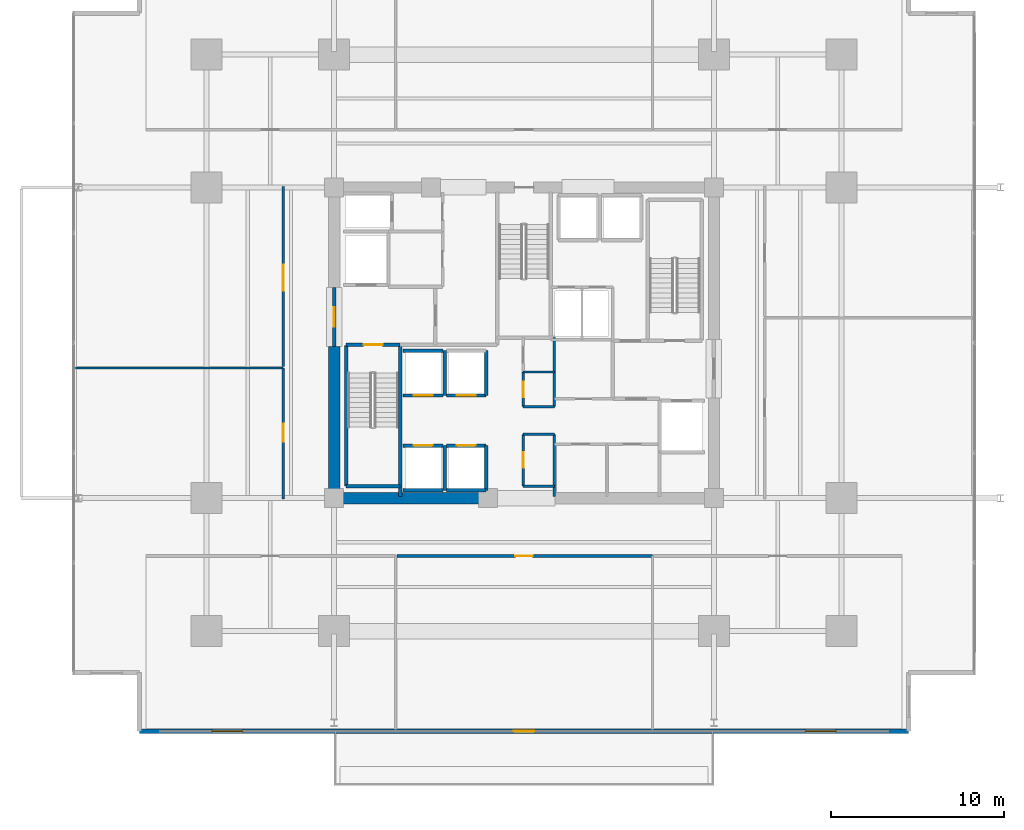
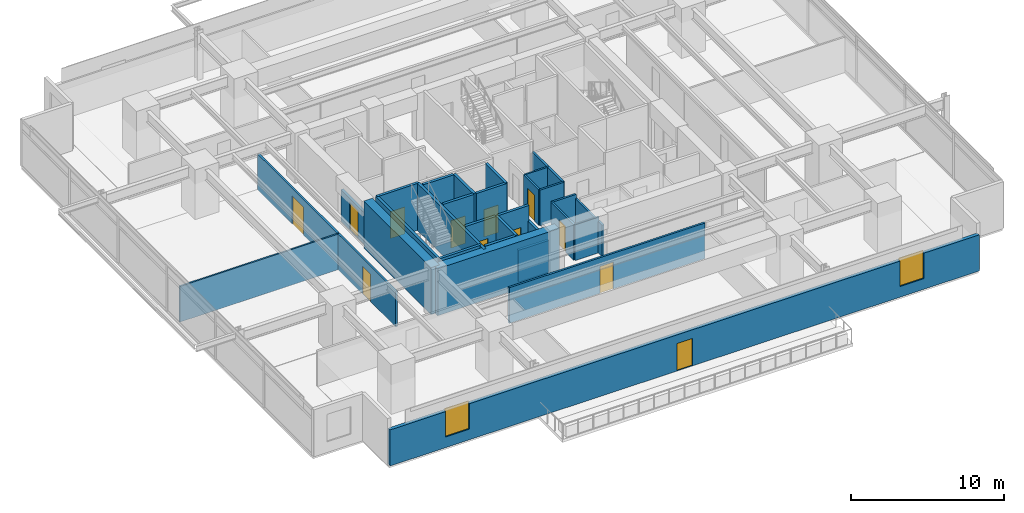
# One storey, part 15 of 22: 31 walls, 12 doors, 2 windows, 14 openings.
"""IFC4 building model written with IfcOpenShell, lengths in metres."""

from ifc_helpers import new_model, si_unit, direction, frame, frame_2d, origin, place, context, subcontext, project, spatial, rectangle, extrude, material, layer, layer_set, type_object, element, fill, save


model = new_model("IFC4")

# Units and contexts
model_context = context("Model", 3, precision=1e-05, world=origin(), true_north=direction((0.0, 1.0)))
body_context = subcontext(model_context, "Body", "Model", "MODEL_VIEW")
ifc_project = project(units=[si_unit("LENGTHUNIT", "METRE"), si_unit("AREAUNIT", "SQUARE_METRE"), si_unit("VOLUMEUNIT", "CUBIC_METRE"), si_unit("PLANEANGLEUNIT", "RADIAN"), si_unit("MASSUNIT", "GRAM", prefix="KILO")], contexts=[model_context])

# Site, building, storey
site_placement = place(None, origin())
site = spatial("IfcSite", under=ifc_project, at=site_placement, CompositionType="ELEMENT")
building_placement = place(site_placement, origin())
building = spatial("IfcBuilding", under=site, at=building_placement, Name="Kovane Verandah Tower", CompositionType="ELEMENT")
storey_placement = place(building_placement, frame((0.0, 0.0, 71.60009765625)))
storey = spatial("IfcBuildingStorey", under=building, at=storey_placement, Name="L16", CompositionType="ELEMENT", Elevation=71.60009765625)

# Walls
ifc_material_1 = material(Name="Fire-Rated Gypsum Stud Partition", Category="gypsum")
ifc_layer_1 = layer(ifc_material_1, 0.14990234375)
ifc_layer_set_1 = layer_set([ifc_layer_1], Name="Fire-Rated Gypsum Stud Partition")
wall_type_1 = type_object("IfcWallType", Name="WL-COR-150", PredefinedType="PARTITIONING", material=ifc_layer_set_1)
for number, where, z_axis, x_axis, name in (
    (1, (39.949951171875, 19.199951171875, 0.0), (0.0, 0.0, 1.0), (1.0, 0.0, 0.0), "L16 Central Core Strip South Wall"),
    (2, (39.949951171875, 22.199951171875, 0.0), (0.0, 0.0, 1.0), (1.0, 0.0, 0.0), "L16 Core Cross-Passage South Wall"),
    (3, (39.949951171875, 23.800048828125, 0.0), (0.0, 0.0, 1.0), (1.0, 0.0, 0.0), "L16 Core Cross-Passage North Wall"),
):
    element("IfcWall", number, at=place(storey_placement, frame(where, z_axis=z_axis, x_axis=x_axis)), inside=storey, type_object=wall_type_1, Name=name, PredefinedType="PARTITIONING", context=body_context, shape_type="SweptSolid", body=[
        extrude(rectangle(XDim=1.81005859375, YDim=0.14990234375, at=frame_2d((0.905029296875, 0.0))), origin(), (0.0, 0.0, 1.0), 2.849853515625),
    ])
wall_1_placement = place(storey_placement, frame((41.760009765625, 18.60009765625, 0.0), z_axis=(0.0, 0.0, 1.0), x_axis=(0.0, 1.0, 0.0)))
element("IfcWall", 4, at=wall_1_placement, inside=storey, type_object=wall_type_1, Name="L16 Central Core Strip Lower East Wall", PredefinedType="PARTITIONING", context=body_context, shape_type="SweptSolid", body=[
    extrude(rectangle(XDim=3.599853515625, YDim=0.14990234375, at=frame_2d((1.7998046875, 0.0))), origin(), (0.0, 0.0, 1.0), 2.539794921875),
])
wall_2_placement = place(storey_placement, frame((41.760009765625, 23.800048828125, 0.0), z_axis=(0.0, 0.0, 1.0), x_axis=(0.0, 1.0, 0.0)))
element("IfcWall", 5, at=wall_2_placement, inside=storey, type_object=wall_type_1, Name="L16 Central Core Strip Upper East Wall", PredefinedType="PARTITIONING", context=body_context, shape_type="SweptSolid", body=[
    extrude(rectangle(XDim=4.0, YDim=0.14990234375, at=frame_2d((2.0, 0.0))), origin(), (0.0, 0.0, 1.0), 2.849853515625),
])

# Wall, opening, door
wall_3_placement = place(storey_placement, frame((39.949951171875, 19.199951171875, 0.0), z_axis=(0.0, 0.0, 1.0), x_axis=(0.0, 1.0, 0.0)))
wall_3 = element("IfcWall", 6, at=wall_3_placement, inside=storey, type_object=wall_type_1, Name="L16 Male Toilet Partition", PredefinedType="PARTITIONING", context=body_context, shape_type="SweptSolid", body=[
    extrude(rectangle(XDim=3.0, YDim=0.14990234375, at=frame_2d((1.5, 0.0))), origin(), (0.0, 0.0, 1.0), 2.849853515625),
])
opening_1_placement = place(wall_3_placement, frame((1.050048828125, 0.0, 0.0)))
opening_1 = element("IfcOpeningElement", 7, at=opening_1_placement, cuts=wall_3, Name="Opening DR-L16-028", PredefinedType="OPENING", context=body_context, shape_type="SweptSolid", body=[
    extrude(rectangle(XDim=0.89990234375, YDim=2.10009765625, at=frame_2d((0.449951171875, 1.050048828125))), frame((0.0, 0.074951171875, 0.0), z_axis=(0.0, -1.0, 0.0), x_axis=(1.0, 0.0, 0.0)), (0.0, 0.0, 1.0), 0.14990234375),
])
ifc_material_2 = material(Name="Moisture-Resistant Laminate Washroom Door", Category="wood")
door_type_1 = type_object("IfcDoorType", Name="DR-WC-900", OperationType="SINGLE_SWING_LEFT", PredefinedType="DOOR", material=ifc_material_2)
door_1_placement = place(opening_1_placement, origin())
door_1 = element("IfcDoor", 8, at=door_1_placement, inside=storey, type_object=door_type_1, Name="L16 Male Toilet Door", OperationType="SINGLE_SWING_LEFT", OverallHeight=2.10009765625, OverallWidth=0.89990234375, PredefinedType="DOOR", context=body_context, shape_type="SweptSolid", body=[
    extrude(rectangle(XDim=0.89990234375, YDim=2.10009765625, at=frame_2d((0.449951171875, 1.050048828125))), frame((0.0, 0.02490234375, 0.0), z_axis=(0.0, -1.0, 0.0), x_axis=(1.0, 0.0, 0.0)), (0.0, 0.0, 1.0), 0.050048828125),
])
fill(opening_1, door_1)

wall_4_placement = place(storey_placement, frame((39.949951171875, 23.800048828125, 0.0), z_axis=(0.0, 0.0, 1.0), x_axis=(0.0, 1.0, 0.0)))
wall_4 = element("IfcWall", 9, at=wall_4_placement, inside=storey, type_object=wall_type_1, Name="L16 Female Toilet Partition", PredefinedType="PARTITIONING", context=body_context, shape_type="SweptSolid", body=[
    extrude(rectangle(XDim=2.0, YDim=0.14990234375, at=frame_2d((1.0, 0.0))), origin(), (0.0, 0.0, 1.0), 2.849853515625),
])
opening_2_placement = place(wall_4_placement, frame((0.550048828125, 0.0, 0.0)))
opening_2 = element("IfcOpeningElement", 10, at=opening_2_placement, cuts=wall_4, Name="Opening DR-L16-027", PredefinedType="OPENING", context=body_context, shape_type="SweptSolid", body=[
    extrude(rectangle(XDim=0.89990234375, YDim=2.10009765625, at=frame_2d((0.449951171875, 1.050048828125))), frame((0.0, 0.074951171875, 0.0), z_axis=(0.0, -1.0, 0.0), x_axis=(1.0, 0.0, 0.0)), (0.0, 0.0, 1.0), 0.14990234375),
])
door_2_placement = place(opening_2_placement, origin())
door_2 = element("IfcDoor", 11, at=door_2_placement, inside=storey, type_object=door_type_1, Name="L16 Female Toilet Door", OperationType="SINGLE_SWING_RIGHT", OverallHeight=2.10009765625, OverallWidth=0.89990234375, PredefinedType="DOOR", context=body_context, shape_type="SweptSolid", body=[
    extrude(rectangle(XDim=0.89990234375, YDim=2.10009765625, at=frame_2d((0.449951171875, 1.050048828125))), frame((0.0, 0.02490234375, 0.0), z_axis=(0.0, -1.0, 0.0), x_axis=(1.0, 0.0, 0.0)), (0.0, 0.0, 1.0), 0.050048828125),
])
fill(opening_2, door_2)

wall_5_placement = place(storey_placement, frame((32.628662109375, 15.14990234375, 0.0), z_axis=(0.0, 0.0, 1.0), x_axis=(1.0, 0.0, 0.0)))
wall_5 = element("IfcWall", 12, at=wall_5_placement, inside=storey, type_object=wall_type_1, Name="L16 Document and Print Room S2 Corridor Partition", PredefinedType="PARTITIONING", context=body_context, shape_type="SweptSolid", body=[
    extrude(rectangle(XDim=14.812744140625, YDim=0.14990234375, at=frame_2d((7.40625, 0.0))), origin(), (0.0, 0.0, 1.0), 2.849853515625),
])
opening_3_placement = place(wall_5_placement, frame((6.871337890625, 0.0, 0.0)))
opening_3 = element("IfcOpeningElement", 13, at=opening_3_placement, cuts=wall_5, Name="Opening DR-L16-023", PredefinedType="OPENING", context=body_context, shape_type="SweptSolid", body=[
    extrude(rectangle(XDim=1.0, YDim=2.14990234375, at=frame_2d((0.5, 1.074951171875))), frame((0.0, 0.074951171875, 0.0), z_axis=(0.0, -1.0, 0.0), x_axis=(1.0, 0.0, 0.0)), (0.0, 0.0, 1.0), 0.14990234375),
])
ifc_material_3 = material(Name="FSC Spotted-Gum Timber Fire-Rated Office Door", Category="wood")
door_type_2 = type_object("IfcDoorType", Name="DR-OFF-1000", OperationType="SINGLE_SWING_LEFT", PredefinedType="DOOR", material=ifc_material_3)
door_3_placement = place(opening_3_placement, origin())
door_3 = element("IfcDoor", 14, at=door_3_placement, inside=storey, type_object=door_type_2, Name="L16 Document and Print Room S2 Entrance Door", OperationType="SINGLE_SWING_LEFT", OverallHeight=2.14990234375, OverallWidth=1.0, PredefinedType="DOOR", context=body_context, shape_type="SweptSolid", body=[
    extrude(rectangle(XDim=1.0, YDim=2.14990234375, at=frame_2d((0.5, 1.074951171875))), frame((0.0, 0.02490234375, 0.0), z_axis=(0.0, -1.0, 0.0), x_axis=(1.0, 0.0, 0.0)), (0.0, 0.0, 1.0), 0.050048828125),
])
fill(opening_3, door_3)

wall_6_placement = place(storey_placement, frame((26.050048828125, 18.449951171875, 0.0), z_axis=(0.0, 0.0, 1.0), x_axis=(0.0, 1.0, 0.0)))
wall_6 = element("IfcWall", 15, at=wall_6_placement, inside=storey, type_object=wall_type_1, Name="L16 Executive Office W1 Corridor Partition", PredefinedType="PARTITIONING", context=body_context, shape_type="SweptSolid", body=[
    extrude(rectangle(XDim=7.60205078125, YDim=0.14990234375, at=frame_2d((3.801025390625, 0.0))), origin(), (0.0, 0.0, 1.0), 2.849853515625),
])
opening_4_placement = place(wall_6_placement, frame((3.31591796875, 0.0, 0.0)))
opening_4 = element("IfcOpeningElement", 16, at=opening_4_placement, cuts=wall_6, Name="Opening DR-L16-029", PredefinedType="OPENING", context=body_context, shape_type="SweptSolid", body=[
    extrude(rectangle(XDim=1.050048828125, YDim=2.199951171875, at=frame_2d((0.52490234375, 1.10009765625))), frame((0.0, 0.074951171875, 0.0), z_axis=(0.0, -1.0, 0.0), x_axis=(1.0, 0.0, 0.0)), (0.0, 0.0, 1.0), 0.14990234375),
])
ifc_material_4 = material(Name="FSC Blackbutt Timber Fire-Rated Executive Door", Category="wood")
door_type_3 = type_object("IfcDoorType", Name="DR-EXEC-1050", OperationType="SINGLE_SWING_LEFT", PredefinedType="DOOR", material=ifc_material_4)
door_4_placement = place(opening_4_placement, origin())
door_4 = element("IfcDoor", 17, at=door_4_placement, inside=storey, type_object=door_type_3, Name="L16 Executive Office W1 Entrance Door", OperationType="SINGLE_SWING_LEFT", OverallHeight=2.199951171875, OverallWidth=1.050048828125, PredefinedType="DOOR", context=body_context, shape_type="SweptSolid", body=[
    extrude(rectangle(XDim=1.050048828125, YDim=2.199951171875, at=frame_2d((0.52490234375, 1.10009765625))), frame((0.0, 0.02490234375, 0.0), z_axis=(0.0, -1.0, 0.0), x_axis=(1.0, 0.0, 0.0)), (0.0, 0.0, 1.0), 0.050048828125),
])
fill(opening_4, door_4)

wall_7_placement = place(storey_placement, frame((26.050048828125, 26.1220703125, 0.0), z_axis=(0.0, 0.0, 1.0), x_axis=(0.0, 1.0, 0.0)))
wall_7 = element("IfcWall", 18, at=wall_7_placement, inside=storey, type_object=wall_type_1, Name="L16 Client Boardroom W2 Corridor Partition", PredefinedType="PARTITIONING", context=body_context, shape_type="SweptSolid", body=[
    extrude(rectangle(XDim=10.427978515625, YDim=0.14990234375, at=frame_2d((5.2138671875, 0.0))), origin(), (0.0, 0.0, 1.0), 2.849853515625),
])
opening_5_placement = place(wall_7_placement, frame((4.388916015625, 0.0, 0.0)))
opening_5 = element("IfcOpeningElement", 19, at=opening_5_placement, cuts=wall_7, Name="Opening DR-L16-030", PredefinedType="OPENING", context=body_context, shape_type="SweptSolid", body=[
    extrude(rectangle(XDim=1.5, YDim=2.25, at=frame_2d((0.75, 1.125))), frame((0.0, 0.074951171875, 0.0), z_axis=(0.0, -1.0, 0.0), x_axis=(1.0, 0.0, 0.0)), (0.0, 0.0, 1.0), 0.14990234375),
])
ifc_material_5 = material(Name="Glazed Timber Fire-Rated Double Door", Category="wood")
door_type_4 = type_object("IfcDoorType", Name="DR-CONF-1500", OperationType="DOUBLE_DOOR_SINGLE_SWING", PredefinedType="DOOR", material=ifc_material_5)
door_5_placement = place(opening_5_placement, origin())
door_5 = element("IfcDoor", 20, at=door_5_placement, inside=storey, type_object=door_type_4, Name="L16 Client Boardroom W2 Entrance Door", OperationType="DOUBLE_DOOR_SINGLE_SWING", OverallHeight=2.25, OverallWidth=1.5, PredefinedType="DOOR", context=body_context, shape_type="SweptSolid", body=[
    extrude(rectangle(XDim=1.5, YDim=2.25, at=frame_2d((0.75, 1.125))), frame((0.0, 0.02490234375, 0.0), z_axis=(0.0, -1.0, 0.0), x_axis=(1.0, 0.0, 0.0)), (0.0, 0.0, 1.0), 0.050048828125),
])
fill(opening_5, door_5)

# Walls
ifc_material_6 = material(Name="Concrete C80/95", Category="concrete")
ifc_layer_2 = layer(ifc_material_6, 0.64990234375)
ifc_layer_set_2 = layer_set([ifc_layer_2], Name="Concrete C80/95")
wall_type_2 = type_object("IfcWallType", Name="WL-CORE-650", PredefinedType="SHEAR", material=ifc_layer_set_2)
wall_8_placement = place(storey_placement, frame((29.0, 18.5, 0.0), z_axis=(0.0, 0.0, 1.0), x_axis=(1.0, 0.0, 0.0)))
element("IfcWall", 21, at=wall_8_placement, inside=storey, type_object=wall_type_2, Name="L16 Core Shear Wall CS-1", PredefinedType="SHEAR", context=body_context, shape_type="SweptSolid", body=[
    extrude(rectangle(XDim=9.199951171875, YDim=0.64990234375, at=frame_2d((4.60009765625, 0.0))), origin(), (0.0, 0.0, 1.0), 3.760009765625),
])
wall_9_placement = place(storey_placement, frame((29.0, 18.5, 0.0), z_axis=(0.0, 0.0, 1.0), x_axis=(0.0, 1.0, 0.0)))
element("IfcWall", 22, at=wall_9_placement, inside=storey, type_object=wall_type_2, Name="L16 Core Shear Wall CW-1", PredefinedType="SHEAR", context=body_context, shape_type="SweptSolid", body=[
    extrude(rectangle(XDim=8.800048828125, YDim=0.64990234375, at=frame_2d((4.39990234375, 0.0))), origin(), (0.0, 0.0, 1.0), 3.760009765625),
])

# Wall, opening, door
ifc_material_7 = material(Name="Concrete C45/55 Fire Wall", Category="concrete")
ifc_layer_3 = layer(ifc_material_7, 0.199951171875)
ifc_layer_set_3 = layer_set([ifc_layer_3], Name="Concrete C45/55 Fire Wall")
wall_type_3 = type_object("IfcWallType", Name="WL-FFL-200", PredefinedType="PARTITIONING", material=ifc_layer_set_3)
wall_10_placement = place(storey_placement, frame((29.0, 27.300048828125, 0.0), z_axis=(0.0, 0.0, 1.0), x_axis=(0.0, 1.0, 0.0)))
wall_10 = element("IfcWall", 23, at=wall_10_placement, inside=storey, type_object=wall_type_3, Name="W-L16-FFLW-OUT", PredefinedType="PARTITIONING", context=body_context, shape_type="SweptSolid", body=[
    extrude(rectangle(XDim=3.39990234375, YDim=0.199951171875, at=frame_2d((1.699951171875, 0.0))), origin(), (0.0, 0.0, 1.0), 2.539794921875),
])
opening_6_placement = place(wall_10_placement, frame((1.125, 0.0, 0.0)))
opening_6 = element("IfcOpeningElement", 24, at=opening_6_placement, cuts=wall_10, Name="Opening DR-L16-007", PredefinedType="OPENING", context=body_context, shape_type="SweptSolid", body=[
    extrude(rectangle(XDim=1.14990234375, YDim=2.199951171875, at=frame_2d((0.574951171875, 1.10009765625))), frame((0.0, 0.10009765625, 0.0), z_axis=(0.0, -1.0, 0.0), x_axis=(1.0, 0.0, 0.0)), (0.0, 0.0, 1.0), 0.199951171875),
])
ifc_material_8 = material(Name="Smoke-Sealed Firefighting Lobby Door", Category="steel")
door_type_5 = type_object("IfcDoorType", Name="DR-FFL-1150", OperationType="SINGLE_SWING_LEFT", PredefinedType="DOOR", material=ifc_material_8)
door_6_placement = place(opening_6_placement, origin())
door_6 = element("IfcDoor", 25, at=door_6_placement, inside=storey, type_object=door_type_5, Name="L16 West Firefighting Lobby Corridor Door", OperationType="SINGLE_SWING_RIGHT", OverallHeight=2.199951171875, OverallWidth=1.14990234375, PredefinedType="DOOR", context=body_context, shape_type="SweptSolid", body=[
    extrude(rectangle(XDim=1.14990234375, YDim=2.199951171875, at=frame_2d((0.574951171875, 1.10009765625))), frame((0.0, 0.02490234375, 0.0), z_axis=(0.0, -1.0, 0.0), x_axis=(1.0, 0.0, 0.0)), (0.0, 0.0, 1.0), 0.050048828125),
])
fill(opening_6, door_6)

# Wall
ifc_material_9 = material(Name="Concrete C45/55 Lift Shaft Wall", Category="concrete")
ifc_layer_4 = layer(ifc_material_9, 0.199951171875)
ifc_layer_set_4 = layer_set([ifc_layer_4], Name="Concrete C45/55 Lift Shaft Wall")
wall_type_4 = type_object("IfcWallType", Name="WL-LIFT-200", PredefinedType="SOLIDWALL", material=ifc_layer_set_4)
wall_11_placement = place(storey_placement, frame((33.0, 18.949951171875, 0.0), z_axis=(0.0, 0.0, 1.0), x_axis=(1.0, 0.0, 0.0)))
element("IfcWall", 26, at=wall_11_placement, inside=storey, type_object=wall_type_4, Name="L16 Lift PL-L1 S Shaft Wall", PredefinedType="SOLIDWALL", context=body_context, shape_type="SweptSolid", body=[
    extrude(rectangle(XDim=2.300048828125, YDim=0.199951171875, at=frame_2d((1.14990234375, 0.0))), origin(), (0.0, 0.0, 1.0), 3.760009765625),
])

# Wall, opening, door
wall_12_placement = place(storey_placement, frame((35.300048828125, 21.550048828125, 0.0), z_axis=(0.0, 0.0, 1.0), x_axis=(-1.0, 0.0, 0.0)))
wall_12 = element("IfcWall", 27, at=wall_12_placement, inside=storey, type_object=wall_type_4, Name="L16 Lift PL-L1 N Shaft Wall", PredefinedType="SOLIDWALL", context=body_context, shape_type="SweptSolid", body=[
    extrude(rectangle(XDim=2.300048828125, YDim=0.199951171875, at=frame_2d((1.14990234375, 0.0))), origin(), (0.0, 0.0, 1.0), 3.760009765625),
])
opening_7_placement = place(wall_12_placement, frame((0.60009765625, 0.0, 0.0)))
opening_7 = element("IfcOpeningElement", 28, at=opening_7_placement, cuts=wall_12, Name="Opening LD-L16-004", PredefinedType="OPENING", context=body_context, shape_type="SweptSolid", body=[
    extrude(rectangle(XDim=1.10009765625, YDim=2.199951171875, at=frame_2d((0.550048828125, 1.10009765625))), frame((0.0, 0.10009765625, 0.0), z_axis=(0.0, -1.0, 0.0), x_axis=(1.0, 0.0, 0.0)), (0.0, 0.0, 1.0), 0.199951171875),
])
ifc_material_10 = material(Name="Brushed Stainless Steel Sliding Lift Landing Door", Category="steel")
door_type_6 = type_object("IfcDoorType", Name="DR-LIFT-1100", OperationType="SLIDING_TO_RIGHT", PredefinedType="DOOR", material=ifc_material_10)
door_7_placement = place(opening_7_placement, origin())
door_7 = element("IfcDoor", 29, at=door_7_placement, inside=storey, type_object=door_type_6, Name="L16 Lift PL-L1 Sliding Landing Door", OperationType="SLIDING_TO_RIGHT", OverallHeight=2.199951171875, OverallWidth=1.10009765625, PredefinedType="DOOR", context=body_context, shape_type="SweptSolid", body=[
    extrude(rectangle(XDim=1.10009765625, YDim=2.199951171875, at=frame_2d((0.550048828125, 1.10009765625))), frame((0.0, 0.02490234375, 0.0), z_axis=(0.0, -1.0, 0.0), x_axis=(1.0, 0.0, 0.0)), (0.0, 0.0, 1.0), 0.050048828125),
])
fill(opening_7, door_7)

# Walls
wall_13_placement = place(storey_placement, frame((35.39990234375, 18.949951171875, 0.0), z_axis=(0.0, 0.0, 1.0), x_axis=(0.0, 1.0, 0.0)))
element("IfcWall", 30, at=wall_13_placement, inside=storey, type_object=wall_type_4, Name="L16 Lift PL-L1 and PL-L2 Shared Shaft Wall", PredefinedType="SOLIDWALL", context=body_context, shape_type="SweptSolid", body=[
    extrude(rectangle(XDim=2.60009765625, YDim=0.199951171875, at=frame_2d((1.300048828125, 0.0))), origin(), (0.0, 0.0, 1.0), 3.760009765625),
])
wall_14_placement = place(storey_placement, frame((35.5, 18.949951171875, 0.0), z_axis=(0.0, 0.0, 1.0), x_axis=(1.0, 0.0, 0.0)))
element("IfcWall", 31, at=wall_14_placement, inside=storey, type_object=wall_type_4, Name="L16 Lift PL-L2 S Shaft Wall", PredefinedType="SOLIDWALL", context=body_context, shape_type="SweptSolid", body=[
    extrude(rectangle(XDim=2.300048828125, YDim=0.199951171875, at=frame_2d((1.14990234375, 0.0))), origin(), (0.0, 0.0, 1.0), 2.539794921875),
])

# Wall, opening, door
wall_15_placement = place(storey_placement, frame((37.800048828125, 21.550048828125, 0.0), z_axis=(0.0, 0.0, 1.0), x_axis=(-1.0, 0.0, 0.0)))
wall_15 = element("IfcWall", 32, at=wall_15_placement, inside=storey, type_object=wall_type_4, Name="L16 Lift PL-L2 N Shaft Wall", PredefinedType="SOLIDWALL", context=body_context, shape_type="SweptSolid", body=[
    extrude(rectangle(XDim=2.300048828125, YDim=0.199951171875, at=frame_2d((1.14990234375, 0.0))), origin(), (0.0, 0.0, 1.0), 3.760009765625),
])
opening_8_placement = place(wall_15_placement, frame((0.60009765625, 0.0, 0.0)))
opening_8 = element("IfcOpeningElement", 33, at=opening_8_placement, cuts=wall_15, Name="Opening LD-L16-005", PredefinedType="OPENING", context=body_context, shape_type="SweptSolid", body=[
    extrude(rectangle(XDim=1.10009765625, YDim=2.199951171875, at=frame_2d((0.550048828125, 1.10009765625))), frame((0.0, 0.10009765625, 0.0), z_axis=(0.0, -1.0, 0.0), x_axis=(1.0, 0.0, 0.0)), (0.0, 0.0, 1.0), 0.199951171875),
])
door_8_placement = place(opening_8_placement, origin())
door_8 = element("IfcDoor", 34, at=door_8_placement, inside=storey, type_object=door_type_6, Name="L16 Lift PL-L2 Sliding Landing Door", OperationType="SLIDING_TO_RIGHT", OverallHeight=2.199951171875, OverallWidth=1.10009765625, PredefinedType="DOOR", context=body_context, shape_type="SweptSolid", body=[
    extrude(rectangle(XDim=1.10009765625, YDim=2.199951171875, at=frame_2d((0.550048828125, 1.10009765625))), frame((0.0, 0.02490234375, 0.0), z_axis=(0.0, -1.0, 0.0), x_axis=(1.0, 0.0, 0.0)), (0.0, 0.0, 1.0), 0.050048828125),
])
fill(opening_8, door_8)

# Wall
wall_16_placement = place(storey_placement, frame((37.800048828125, 18.949951171875, 0.0), z_axis=(0.0, 0.0, 1.0), x_axis=(0.0, 1.0, 0.0)))
element("IfcWall", 35, at=wall_16_placement, inside=storey, type_object=wall_type_4, Name="L16 Lift PL-L2 E Shaft Wall", PredefinedType="SOLIDWALL", context=body_context, shape_type="SweptSolid", body=[
    extrude(rectangle(XDim=2.60009765625, YDim=0.199951171875, at=frame_2d((1.300048828125, 0.0))), origin(), (0.0, 0.0, 1.0), 2.539794921875),
])

# Wall, opening, door
wall_17_placement = place(storey_placement, frame((33.0, 24.449951171875, 0.0), z_axis=(0.0, 0.0, 1.0), x_axis=(1.0, 0.0, 0.0)))
wall_17 = element("IfcWall", 36, at=wall_17_placement, inside=storey, type_object=wall_type_4, Name="L16 Lift PL-L3 S Shaft Wall", PredefinedType="SOLIDWALL", context=body_context, shape_type="SweptSolid", body=[
    extrude(rectangle(XDim=2.300048828125, YDim=0.199951171875, at=frame_2d((1.14990234375, 0.0))), origin(), (0.0, 0.0, 1.0), 3.760009765625),
])
opening_9_placement = place(wall_17_placement, frame((0.60009765625, 0.0, 0.0)))
opening_9 = element("IfcOpeningElement", 37, at=opening_9_placement, cuts=wall_17, Name="Opening LD-L16-006", PredefinedType="OPENING", context=body_context, shape_type="SweptSolid", body=[
    extrude(rectangle(XDim=1.10009765625, YDim=2.199951171875, at=frame_2d((0.550048828125, 1.10009765625))), frame((0.0, 0.10009765625, 0.0), z_axis=(0.0, -1.0, 0.0), x_axis=(1.0, 0.0, 0.0)), (0.0, 0.0, 1.0), 0.199951171875),
])
door_9_placement = place(opening_9_placement, origin())
door_9 = element("IfcDoor", 38, at=door_9_placement, inside=storey, type_object=door_type_6, Name="L16 Lift PL-L3 Sliding Landing Door", OperationType="SLIDING_TO_RIGHT", OverallHeight=2.199951171875, OverallWidth=1.10009765625, PredefinedType="DOOR", context=body_context, shape_type="SweptSolid", body=[
    extrude(rectangle(XDim=1.10009765625, YDim=2.199951171875, at=frame_2d((0.550048828125, 1.10009765625))), frame((0.0, 0.02490234375, 0.0), z_axis=(0.0, -1.0, 0.0), x_axis=(1.0, 0.0, 0.0)), (0.0, 0.0, 1.0), 0.050048828125),
])
fill(opening_9, door_9)

# Walls
wall_18_placement = place(storey_placement, frame((35.300048828125, 27.050048828125, 0.0), z_axis=(0.0, 0.0, 1.0), x_axis=(-1.0, 0.0, 0.0)))
element("IfcWall", 39, at=wall_18_placement, inside=storey, type_object=wall_type_4, Name="L16 Lift PL-L3 N Shaft Wall", PredefinedType="SOLIDWALL", context=body_context, shape_type="SweptSolid", body=[
    extrude(rectangle(XDim=2.300048828125, YDim=0.199951171875, at=frame_2d((1.14990234375, 0.0))), origin(), (0.0, 0.0, 1.0), 3.760009765625),
])
wall_19_placement = place(storey_placement, frame((35.39990234375, 24.449951171875, 0.0), z_axis=(0.0, 0.0, 1.0), x_axis=(0.0, 1.0, 0.0)))
element("IfcWall", 40, at=wall_19_placement, inside=storey, type_object=wall_type_4, Name="L16 Lift PL-L3 and PL-L4 Shared Shaft Wall", PredefinedType="SOLIDWALL", context=body_context, shape_type="SweptSolid", body=[
    extrude(rectangle(XDim=2.60009765625, YDim=0.199951171875, at=frame_2d((1.300048828125, 0.0))), origin(), (0.0, 0.0, 1.0), 3.760009765625),
])

# Wall, opening, door
wall_20_placement = place(storey_placement, frame((35.5, 24.449951171875, 0.0), z_axis=(0.0, 0.0, 1.0), x_axis=(1.0, 0.0, 0.0)))
wall_20 = element("IfcWall", 41, at=wall_20_placement, inside=storey, type_object=wall_type_4, Name="L16 Lift PL-L4 S Shaft Wall", PredefinedType="SOLIDWALL", context=body_context, shape_type="SweptSolid", body=[
    extrude(rectangle(XDim=2.300048828125, YDim=0.199951171875, at=frame_2d((1.14990234375, 0.0))), origin(), (0.0, 0.0, 1.0), 3.760009765625),
])
opening_10_placement = place(wall_20_placement, frame((0.60009765625, 0.0, 0.0)))
opening_10 = element("IfcOpeningElement", 42, at=opening_10_placement, cuts=wall_20, Name="Opening LD-L16-007", PredefinedType="OPENING", context=body_context, shape_type="SweptSolid", body=[
    extrude(rectangle(XDim=1.10009765625, YDim=2.199951171875, at=frame_2d((0.550048828125, 1.10009765625))), frame((0.0, 0.10009765625, 0.0), z_axis=(0.0, -1.0, 0.0), x_axis=(1.0, 0.0, 0.0)), (0.0, 0.0, 1.0), 0.199951171875),
])
door_10_placement = place(opening_10_placement, origin())
door_10 = element("IfcDoor", 43, at=door_10_placement, inside=storey, type_object=door_type_6, Name="L16 Lift PL-L4 Sliding Landing Door", OperationType="SLIDING_TO_RIGHT", OverallHeight=2.199951171875, OverallWidth=1.10009765625, PredefinedType="DOOR", context=body_context, shape_type="SweptSolid", body=[
    extrude(rectangle(XDim=1.10009765625, YDim=2.199951171875, at=frame_2d((0.550048828125, 1.10009765625))), frame((0.0, 0.02490234375, 0.0), z_axis=(0.0, -1.0, 0.0), x_axis=(1.0, 0.0, 0.0)), (0.0, 0.0, 1.0), 0.050048828125),
])
fill(opening_10, door_10)

# Walls
wall_21_placement = place(storey_placement, frame((37.800048828125, 24.449951171875, 0.0), z_axis=(0.0, 0.0, 1.0), x_axis=(0.0, 1.0, 0.0)))
element("IfcWall", 44, at=wall_21_placement, inside=storey, type_object=wall_type_4, Name="L16 Lift PL-L4 E Shaft Wall", PredefinedType="SOLIDWALL", context=body_context, shape_type="SweptSolid", body=[
    extrude(rectangle(XDim=2.60009765625, YDim=0.199951171875, at=frame_2d((1.300048828125, 0.0))), origin(), (0.0, 0.0, 1.0), 3.760009765625),
])
ifc_material_11 = material(Name="Acoustic Fire-Rated Gypsum Partition", Category="gypsum")
ifc_layer_5 = layer(ifc_material_11, 0.1201171875)
ifc_layer_set_5 = layer_set([ifc_layer_5], Name="Acoustic Fire-Rated Gypsum Partition")
wall_type_5 = type_object("IfcWallType", Name="WL-PART-120", PredefinedType="PARTITIONING", material=ifc_layer_set_5)
wall_22_placement = place(storey_placement, frame((39.949951171875, 25.800048828125, 0.0), z_axis=(0.0, 0.0, 1.0), x_axis=(1.0, 0.0, 0.0)))
element("IfcWall", 45, at=wall_22_placement, inside=storey, type_object=wall_type_5, Name="L16 Central Core Strip Upper Dividing Partition", PredefinedType="PARTITIONING", context=body_context, shape_type="SweptSolid", body=[
    extrude(rectangle(XDim=1.81005859375, YDim=0.1201171875, at=frame_2d((0.905029296875, 0.0))), origin(), (0.0, 0.0, 1.0), 2.849853515625),
])
wall_23_placement = place(storey_placement, frame((14.013671875, 26.052001953125, 0.0), z_axis=(0.0, 0.0, 1.0), x_axis=(1.0, 0.0, 0.0)))
element("IfcWall", 46, at=wall_23_placement, inside=storey, type_object=wall_type_5, Name="L16 Executive Office W1 Dividing Partition", PredefinedType="PARTITIONING", context=body_context, shape_type="SweptSolid", body=[
    extrude(rectangle(XDim=12.036376953125, YDim=0.1201171875, at=frame_2d((6.01806640625, 0.0))), origin(), (0.0, 0.0, 1.0), 2.849853515625),
])
ifc_material_12 = material(Name="Concrete C45/55", Category="concrete")
ifc_layer_6 = layer(ifc_material_12, 0.199951171875)
ifc_layer_set_6 = layer_set([ifc_layer_6], Name="Concrete C45/55")
wall_type_6 = type_object("IfcWallType", Name="WL-SHAFT-200", PredefinedType="SOLIDWALL", material=ifc_layer_set_6)
wall_24_placement = place(storey_placement, frame((29.699951171875, 19.199951171875, 0.0), z_axis=(0.0, 0.0, 1.0), x_axis=(0.0, 1.0, 0.0)))
element("IfcWall", 47, at=wall_24_placement, inside=storey, type_object=wall_type_6, Name="W-L16-ST01-W", PredefinedType="SOLIDWALL", context=body_context, shape_type="SweptSolid", body=[
    extrude(rectangle(XDim=8.150146484375, YDim=0.199951171875, at=frame_2d((4.0751953125, 0.0))), origin(), (0.0, 0.0, 1.0), 3.760009765625),
])
wall_25_placement = place(storey_placement, frame((29.699951171875, 19.199951171875, 0.0), z_axis=(0.0, 0.0, 1.0), x_axis=(1.0, 0.0, 0.0)))
element("IfcWall", 48, at=wall_25_placement, inside=storey, type_object=wall_type_6, Name="W-L16-ST01-S", PredefinedType="SOLIDWALL", context=body_context, shape_type="SweptSolid", body=[
    extrude(rectangle(XDim=3.1201171875, YDim=0.199951171875, at=frame_2d((1.56005859375, 0.0))), origin(), (0.0, 0.0, 1.0), 3.760009765625),
])
wall_26_placement = place(storey_placement, frame((32.820068359375, 18.60009765625, 0.0), z_axis=(0.0, 0.0, 1.0), x_axis=(0.0, 1.0, 0.0)))
element("IfcWall", 49, at=wall_26_placement, inside=storey, type_object=wall_type_6, Name="W-L16-ST01-E", PredefinedType="SOLIDWALL", context=body_context, shape_type="SweptSolid", body=[
    extrude(rectangle(XDim=8.77978515625, YDim=0.199951171875, at=frame_2d((4.389892578125, 0.0))), origin(), (0.0, 0.0, 1.0), 3.760009765625),
])

# Wall, opening, door
wall_27_placement = place(storey_placement, frame((29.699951171875, 27.3798828125, 0.0), z_axis=(0.0, 0.0, 1.0), x_axis=(1.0, 0.0, 0.0)))
wall_27 = element("IfcWall", 50, at=wall_27_placement, inside=storey, type_object=wall_type_6, Name="W-L16-ST01-N", PredefinedType="SOLIDWALL", context=body_context, shape_type="SweptSolid", body=[
    extrude(rectangle(XDim=3.1201171875, YDim=0.199951171875, at=frame_2d((1.56005859375, 0.0))), origin(), (0.0, 0.0, 1.0), 3.760009765625),
])
opening_11_placement = place(wall_27_placement, frame((1.010009765625, 0.0, 0.0)))
opening_11 = element("IfcOpeningElement", 51, at=opening_11_placement, cuts=wall_27, Name="Opening DR-L16-009", PredefinedType="OPENING", context=body_context, shape_type="SweptSolid", body=[
    extrude(rectangle(XDim=1.10009765625, YDim=2.14990234375, at=frame_2d((0.550048828125, 1.074951171875))), frame((0.0, 0.10009765625, 0.0), z_axis=(0.0, -1.0, 0.0), x_axis=(1.0, 0.0, 0.0)), (0.0, 0.0, 1.0), 0.199951171875),
])
ifc_material_13 = material(Name="Fire-Rated Steel Exit Door", Category="steel")
door_type_7 = type_object("IfcDoorType", Name="DR-STAIR-1100", OperationType="SINGLE_SWING_LEFT", PredefinedType="DOOR", material=ifc_material_13)
door_11_placement = place(opening_11_placement, origin())
door_11 = element("IfcDoor", 52, at=door_11_placement, inside=storey, type_object=door_type_7, Name="L16 ST-01 Fire Exit Stair Door", OperationType="SINGLE_SWING_RIGHT", OverallHeight=2.14990234375, OverallWidth=1.10009765625, PredefinedType="DOOR", context=body_context, shape_type="SweptSolid", body=[
    extrude(rectangle(XDim=1.10009765625, YDim=2.14990234375, at=frame_2d((0.550048828125, 1.074951171875))), frame((0.0, 0.02490234375, 0.0), z_axis=(0.0, -1.0, 0.0), x_axis=(1.0, 0.0, 0.0)), (0.0, 0.0, 1.0), 0.050048828125),
])
fill(opening_11, door_11)

# Wall, openings, door, windows
ifc_material_14 = material(Name="Concrete C45/55 Insulated Spandrel Wall", Category="concrete")
ifc_layer_7 = layer(ifc_material_14, 0.260009765625)
ifc_layer_set_7 = layer_set([ifc_layer_7], Name="Concrete C45/55 Insulated Spandrel Wall")
wall_type_7 = type_object("IfcWallType", Name="WL-SPANDREL-260", PredefinedType="PARAPET", material=ifc_layer_set_7)
wall_28_placement = place(storey_placement, frame((17.713623046875, 4.99951171875, 0.0), z_axis=(0.0, 0.0, 1.0), x_axis=(1.0, 0.0, 0.0)))
wall_28 = element("IfcWall", 53, at=wall_28_placement, inside=storey, type_object=wall_type_7, Name="L16 S Verandah Access Facade Wall", PredefinedType="PARAPET", context=body_context, shape_type="SweptSolid", body=[
    extrude(rectangle(XDim=44.57275390625, YDim=0.260009765625, at=frame_2d((22.286376953125, 0.0))), origin(), (0.0, 0.0, 1.0), 2.88916015625),
])
opening_12_placement = place(wall_28_placement, frame((4.199951171875, 0.0, 0.85009765625)))
opening_12 = element("IfcOpeningElement", 54, at=opening_12_placement, cuts=wall_28, Name="Opening W-03", PredefinedType="OPENING", context=body_context, shape_type="SweptSolid", body=[
    extrude(rectangle(XDim=1.800048828125, YDim=2.199951171875, at=frame_2d((0.89990234375, 1.10009765625))), frame((0.0, 0.1298828125, 0.0), z_axis=(0.0, -1.0, 0.0), x_axis=(1.0, 0.0, 0.0)), (0.0, 0.0, 1.0), 0.260009765625),
])
opening_13_placement = place(wall_28_placement, frame((21.686279296875, 0.0, 0.0)))
opening_13 = element("IfcOpeningElement", 55, at=opening_13_placement, cuts=wall_28, Name="Opening DR-L16-002", PredefinedType="OPENING", context=body_context, shape_type="SweptSolid", body=[
    extrude(rectangle(XDim=1.199951171875, YDim=2.199951171875, at=frame_2d((0.60009765625, 1.10009765625))), frame((0.0, 0.1298828125, 0.0), z_axis=(0.0, -1.0, 0.0), x_axis=(1.0, 0.0, 0.0)), (0.0, 0.0, 1.0), 0.260009765625),
])
opening_14_placement = place(wall_28_placement, frame((38.57275390625, 0.0, 0.85009765625)))
opening_14 = element("IfcOpeningElement", 56, at=opening_14_placement, cuts=wall_28, Name="Opening W-03", PredefinedType="OPENING", context=body_context, shape_type="SweptSolid", body=[
    extrude(rectangle(XDim=1.800048828125, YDim=2.199951171875, at=frame_2d((0.89990234375, 1.10009765625))), frame((0.0, 0.1298828125, 0.0), z_axis=(0.0, -1.0, 0.0), x_axis=(1.0, 0.0, 0.0)), (0.0, 0.0, 1.0), 0.260009765625),
])
ifc_material_15 = material(Name="Cyclone-Rated Glazed Balcony Leaf Door", Category="aluminium")
door_type_8 = type_object("IfcDoorType", Name="DR-BAL-1200x2200", OperationType="SINGLE_SWING_LEFT", PredefinedType="DOOR", material=ifc_material_15)
door_12_placement = place(opening_13_placement, origin())
door_12 = element("IfcDoor", 57, at=door_12_placement, inside=storey, type_object=door_type_8, Name="L16 S Planted Balcony Access Door", OperationType="SINGLE_SWING_LEFT", OverallHeight=2.199951171875, OverallWidth=1.199951171875, PredefinedType="DOOR", context=body_context, shape_type="SweptSolid", body=[
    extrude(rectangle(XDim=1.199951171875, YDim=2.199951171875, at=frame_2d((0.60009765625, 1.10009765625))), frame((0.0, 0.02490234375, 0.0), z_axis=(0.0, -1.0, 0.0), x_axis=(1.0, 0.0, 0.0)), (0.0, 0.0, 1.0), 0.050048828125),
])
fill(opening_13, door_12)
ifc_material_16 = material(Name="Clear Low-E Laminated Double Glazing in Anodised Frame", Category="glass")
window_type = type_object("IfcWindowType", Name="WN-NOTCH-1800x2200", PartitioningType="SINGLE_PANEL", PredefinedType="WINDOW", material=ifc_material_16)
window_1_placement = place(opening_12_placement, origin())
window_1 = element("IfcWindow", 58, at=window_1_placement, inside=storey, type_object=window_type, Name="L16 S Verandah View Window 1", OverallHeight=2.199951171875, OverallWidth=1.800048828125, PartitioningType="SINGLE_PANEL", PredefinedType="WINDOW", context=body_context, shape_type="SweptSolid", body=[
    extrude(rectangle(XDim=1.800048828125, YDim=2.199951171875, at=frame_2d((0.89990234375, 1.10009765625))), frame((0.0, 0.030029296875, 0.0), z_axis=(0.0, -1.0, 0.0), x_axis=(1.0, 0.0, 0.0)), (0.0, 0.0, 1.0), 0.06005859375),
])
fill(opening_12, window_1)
window_2_placement = place(opening_14_placement, origin())
window_2 = element("IfcWindow", 59, at=window_2_placement, inside=storey, type_object=window_type, Name="L16 S Verandah View Window 2", OverallHeight=2.199951171875, OverallWidth=1.800048828125, PartitioningType="SINGLE_PANEL", PredefinedType="WINDOW", context=body_context, shape_type="SweptSolid", body=[
    extrude(rectangle(XDim=1.800048828125, YDim=2.199951171875, at=frame_2d((0.89990234375, 1.10009765625))), frame((0.0, 0.030029296875, 0.0), z_axis=(0.0, -1.0, 0.0), x_axis=(1.0, 0.0, 0.0)), (0.0, 0.0, 1.0), 0.06005859375),
])
fill(opening_14, window_2)

save(model, "model.ifc")
